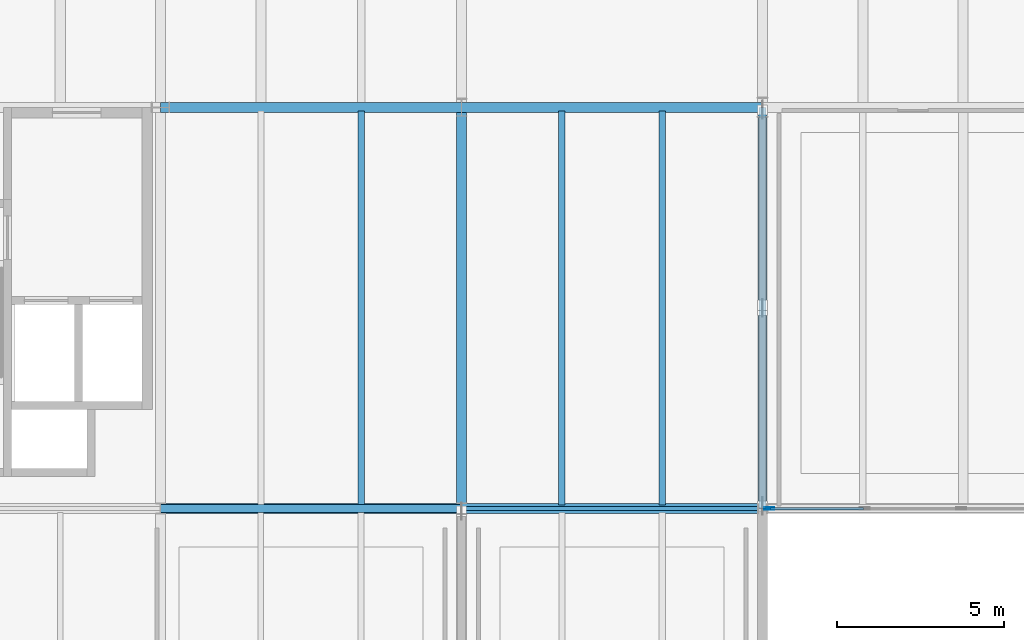
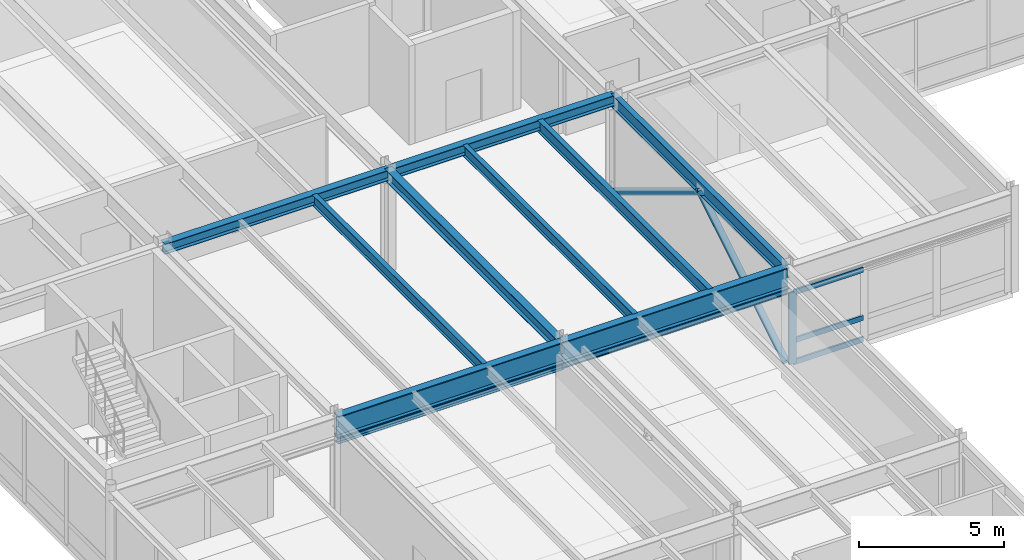
# One storey, part 73 of 127: 11 beams, 6 members, 1 element without a shape of its own.
"""IFC4 building model written with IfcOpenShell, lengths in metres."""

import ifcopenshell
import ifcopenshell.guid

model = None  # the IFC model being written
_history = None  # IfcOwnerHistory: only IFC2X3 demands one
_inside = {}  # id of a spatial element -> (the spatial element, [elements in it])
_under = {}  # id of a project, library or spatial element -> (it, [spatial elements below it])
_declared = {}  # id of a project -> (the project, [libraries it declares])
_typed = {}  # id of a type object -> (the type object, [elements of that type])
_made_of = {}  # id of a material, layer set ... -> (it, [elements and type objects made of it])


def new_model(schema):
    """Start an empty IFC model of exactly this schema.

    Asked for "IFC4X3", IfcOpenShell would pick the latest addendum, in which some entities
    have other attributes; the version numbers below select the first issue.
    IFC2X3 requires an IfcOwnerHistory on every rooted entity: one is made here for all.
    """
    global model, _history
    if schema == "IFC4X3":
        model = ifcopenshell.file(schema_version=(4, 3, 0, 0))
    else:
        model = ifcopenshell.file(schema=schema)
    _inside.clear()
    _under.clear()
    _declared.clear()
    _typed.clear()
    _made_of.clear()
    _history = None
    if model.schema == "IFC2X3":
        org = make("IfcOrganization", Name="unknown")
        user = make(
            "IfcPersonAndOrganization",
            ThePerson=make("IfcPerson", FamilyName="unknown"),
            TheOrganization=org,
        )
        app = make(
            "IfcApplication",
            ApplicationDeveloper=org,
            Version="unknown",
            ApplicationFullName="unknown",
            ApplicationIdentifier="unknown",
        )
        _history = make(
            "IfcOwnerHistory",
            OwningUser=user,
            OwningApplication=app,
            ChangeAction="ADDED",
            CreationDate=0,
        )
    return model


def make(cls, **values):
    """One entity of the class cls with the attributes given. An attribute that is None is left unset."""
    return model.create_entity(
        cls, **{name: value for name, value in values.items() if value is not None}
    )


def rooted(cls, **values):
    """An entity with a GlobalId (a new one), such as an element, a storey or a relation."""
    return make(cls, GlobalId=ifcopenshell.guid.new(), OwnerHistory=_history, **values)


def si_unit(unit_type, name, prefix=None):
    """IfcSIUnit, for example si_unit("LENGTHUNIT", "METRE", prefix="MILLI")."""
    return make("IfcSIUnit", UnitType=unit_type, Prefix=prefix, Name=name)


def assignment(units):
    """IfcUnitAssignment: the units of a project."""
    return None if units is None else make("IfcUnitAssignment", Units=units)


def point(xyz):
    """IfcCartesianPoint."""
    return None if xyz is None else make("IfcCartesianPoint", Coordinates=xyz)


def direction(xyz):
    """IfcDirection."""
    return None if xyz is None else make("IfcDirection", DirectionRatios=xyz)


def frame(location, z_axis=None, x_axis=None):
    """IfcAxis2Placement3D, a coordinate frame: its origin and axes. An axis left out is left unset."""
    return make(
        "IfcAxis2Placement3D",
        Location=point(location),
        Axis=direction(z_axis),
        RefDirection=direction(x_axis),
    )


def frame_2d(location, x_axis=None):
    """IfcAxis2Placement2D, a coordinate frame in the plane: its origin and x axis."""
    return make(
        "IfcAxis2Placement2D", Location=point(location), RefDirection=direction(x_axis)
    )


def origin():
    """The frame at (0, 0, 0) with its axes left unset."""
    return frame((0.0, 0.0, 0.0))


def origin_2d():
    """The frame at (0, 0) in the plane with its x axis left unset."""
    return frame_2d((0.0, 0.0))


def place(relative_to, where):
    """IfcLocalPlacement: puts the frame where relative to a parent placement (None: the world)."""
    return make(
        "IfcLocalPlacement", PlacementRelTo=relative_to, RelativePlacement=where
    )


def context(
    kind, dimensions, precision=None, world=None, true_north=None, identifier=None
):
    """IfcGeometricRepresentationContext, for example the 3D "Model" context."""
    return make(
        "IfcGeometricRepresentationContext",
        ContextIdentifier=identifier,
        ContextType=kind,
        CoordinateSpaceDimension=dimensions,
        Precision=precision,
        WorldCoordinateSystem=world,
        TrueNorth=true_north,
    )


def subcontext(parent, identifier, kind, view, scale=None):
    """IfcGeometricRepresentationSubContext, for example "Body" below "Model"."""
    return make(
        "IfcGeometricRepresentationSubContext",
        ContextIdentifier=identifier,
        ContextType=kind,
        ParentContext=parent,
        TargetScale=scale,
        TargetView=view,
    )


def project(units=None, contexts=None):
    """IfcProject with its units and contexts."""
    return rooted(
        "IfcProject",
        Name="project",
        RepresentationContexts=contexts,
        UnitsInContext=assignment(units),
    )


def spatial(cls, under=None, at=None, **own):
    """A site, building, storey or space (cls), placed at a placement, below another one or the project."""
    s = rooted(cls, ObjectPlacement=at, **own)
    if under is not None:
        _under.setdefault(under.id(), (under, []))[1].append(s)
    return s


def profile(cls, at=None, kind="AREA", **sizes):
    """A parametric profile (cls). Its sizes go by their IFC names, for example OverallWidth=200.0."""
    return make(cls, ProfileType=kind, Position=at, **sizes)


def hollow_rectangle(**sizes):
    """IfcRectangleHollowProfileDef."""
    return profile("IfcRectangleHollowProfileDef", **sizes)


def hollow_circle(**sizes):
    """IfcCircleHollowProfileDef."""
    return profile("IfcCircleHollowProfileDef", **sizes)


def i_section(**sizes):
    """IfcIShapeProfileDef."""
    return profile("IfcIShapeProfileDef", **sizes)


def extrude(swept, where, along, depth):
    """IfcExtrudedAreaSolid: the profile swept, set in the frame where, extruded along a direction by depth."""
    return make(
        "IfcExtrudedAreaSolid",
        SweptArea=swept,
        Position=where,
        ExtrudedDirection=direction(along),
        Depth=depth,
    )


def shape(context_of_items, identifier, shape_type, items):
    """IfcShapeRepresentation: the items that make up one representation, for example the "Body"."""
    return make(
        "IfcShapeRepresentation",
        ContextOfItems=context_of_items,
        RepresentationIdentifier=identifier,
        RepresentationType=shape_type,
        Items=items,
    )


def material(Name=None, Category=None):
    """IfcMaterial."""
    return make("IfcMaterial", Name=Name, Category=Category)


def layer(
    of_material, thickness, ventilated=None, Name=None, Category=None, Priority=None
):
    """IfcMaterialLayer: one layer of a wall or slab, of a material (None: an air gap)."""
    return make(
        "IfcMaterialLayer",
        Material=of_material,
        LayerThickness=thickness,
        IsVentilated=ventilated,
        Name=Name,
        Category=Category,
        Priority=Priority,
    )


def layer_set(layers, Name=None):
    """IfcMaterialLayerSet."""
    return make("IfcMaterialLayerSet", MaterialLayers=layers, LayerSetName=Name)


def material_profile(
    of_material, cross_section, Name=None, Category=None, Priority=None
):
    """IfcMaterialProfile: a cross section and its material."""
    return make(
        "IfcMaterialProfile",
        Name=Name,
        Material=of_material,
        Profile=cross_section,
        Priority=Priority,
        Category=Category,
    )


def profile_set(profiles, Name=None, composite=None):
    """IfcMaterialProfileSet."""
    return make(
        "IfcMaterialProfileSet",
        Name=Name,
        MaterialProfiles=profiles,
        CompositeProfile=composite,
    )


def made_of(thing, what):
    """Note that an element or type object is made of a material, layer set ...; save() writes the relation."""
    if what is not None:
        _made_of.setdefault(what.id(), (what, []))[1].append(thing)
    return thing


def type_object(cls, material=None, **own):
    """A type object (cls), such as IfcWallType, which elements share."""
    return made_of(rooted(cls, **own), material)


def element(
    cls,
    number,
    at=None,
    inside=None,
    cuts=None,
    type_object=None,
    material=None,
    context=None,
    identifier="Body",
    shape_type=None,
    held_by="IfcProductDefinitionShape",
    body=None,
    shapes=None,
    **own,
):
    """One element of the class cls, such as IfcWall. Its Tag is "e" and its number.

    at: its placement. inside: the storey or other place that contains it. cuts: it is an
    opening in that element (IfcRelVoidsElement). A single representation is given by context,
    identifier, shape_type and body (its items); several are given by shapes. held_by: the class
    of the entity that holds the representations. save() writes the other relations.
    """
    e = rooted(cls, Tag="e%d" % number, ObjectPlacement=at, **own)
    if body is not None:
        shapes = [shape(context, identifier, shape_type, body)]
    if shapes is not None:
        e.Representation = make(held_by, Representations=shapes)
    if inside is not None:
        _inside.setdefault(inside.id(), (inside, []))[1].append(e)
    if cuts is not None:
        rooted(
            "IfcRelVoidsElement", RelatingBuildingElement=cuts, RelatedOpeningElement=e
        )
    if type_object is not None:
        _typed.setdefault(type_object.id(), (type_object, []))[1].append(e)
    return made_of(e, material)


def aggregate(whole, parts):
    """IfcRelAggregates: a whole, such as a stair, and the parts it consists of."""
    return rooted("IfcRelAggregates", RelatingObject=whole, RelatedObjects=parts)


def save(model, path):
    """Write the relations noted so far, then the file.

    IfcRelAggregates (storeys below a building ...), IfcRelContainedInSpatialStructure (elements
    in a storey), IfcRelDefinesByType, IfcRelAssociatesMaterial and IfcRelDeclares: one each for
    every whole, place, type object, material and project.
    """
    for whole, parts in _under.values():
        aggregate(whole, parts)
    for where, things in _inside.values():
        rooted(
            "IfcRelContainedInSpatialStructure",
            RelatedElements=things,
            RelatingStructure=where,
        )
    for kind, things in _typed.values():
        rooted("IfcRelDefinesByType", RelatedObjects=things, RelatingType=kind)
    for what, things in _made_of.values():
        rooted("IfcRelAssociatesMaterial", RelatedObjects=things, RelatingMaterial=what)
    for by, libraries in _declared.values():
        rooted("IfcRelDeclares", RelatingContext=by, RelatedDefinitions=libraries)
    model.write(path)


model = new_model("IFC4")

# Units and contexts
model_context = context("Model", 3, precision=1e-05, world=origin(), true_north=direction((0.0, 1.0)))
body_context = subcontext(model_context, "Body", "Model", "MODEL_VIEW")
ifc_project = project(units=[si_unit("LENGTHUNIT", "METRE"), si_unit("AREAUNIT", "SQUARE_METRE"), si_unit("VOLUMEUNIT", "CUBIC_METRE"), si_unit("PLANEANGLEUNIT", "RADIAN"), si_unit("MASSUNIT", "GRAM", prefix="KILO")], contexts=[model_context])

# Site, building, storey
site_placement = place(None, origin())
site = spatial("IfcSite", under=ifc_project, at=site_placement, CompositionType="ELEMENT")
building_placement = place(site_placement, origin())
building = spatial("IfcBuilding", under=site, at=building_placement, Name="Montelvaro Courts of Justice", CompositionType="ELEMENT")
storey_placement = place(building_placement, frame((0.0, 0.0, 5.39990234375)))
storey = spatial("IfcBuildingStorey", under=building, at=storey_placement, Name="L01", CompositionType="ELEMENT", Elevation=5.39990234375)

# Beams
ifc_material_1 = material(Name="Steel S355", Category="steel")
ifc_material_profile_1 = material_profile(ifc_material_1, i_section(OverallWidth=0.239990234375, OverallDepth=0.22998046875, WebThickness=0.007568359375, FlangeThickness=0.011962890625, at=origin_2d()), Name="HEA 240")
ifc_profile_set_1 = profile_set([ifc_material_profile_1], Name="Steel S355")
beam_type_1 = type_object("IfcBeamType", Name="Beam_HEA240", PredefinedType="LINTEL", material=ifc_profile_set_1)
beam_1_placement = place(storey_placement, frame((108.0, 66.0, 3.135009765625), z_axis=(1.0, 0.0, 0.0), x_axis=(0.0, 1.0, 0.0)))
element("IfcBeam", 1, at=beam_1_placement, inside=storey, type_object=beam_type_1, Name="Beam B-13 L01", PredefinedType="LINTEL", context=body_context, shape_type="SweptSolid", body=[
    extrude(i_section(OverallWidth=0.239990234375, OverallDepth=0.22998046875, WebThickness=0.007568359375, FlangeThickness=0.011962890625, at=origin_2d()), origin(), (0.0, 0.0, 1.0), 9.0),
])
ifc_material_profile_2 = material_profile(ifc_material_1, i_section(OverallWidth=0.300048828125, OverallDepth=0.43994140625, WebThickness=0.011474609375, FlangeThickness=0.02099609375, at=origin_2d()), Name="HEA 450")
ifc_profile_set_2 = profile_set([ifc_material_profile_2], Name="Steel S355")
beam_type_2 = type_object("IfcBeamType", Name="Beam_HEA450", PredefinedType="USERDEFINED", material=ifc_profile_set_2)
for number, where, z_axis, x_axis, name in (
    (2, (108.0, 78.0, 3.97998046875), (1.0, 0.0, 0.0), (0.0, 1.0, 0.0), "Beam B-18 L01"),
    (3, (117.0, 78.0, 3.97998046875), (1.0, 0.0, 0.0), (0.0, 1.0, 0.0), "Beam B-18 L01"),
):
    element("IfcBeam", number, at=place(storey_placement, frame(where, z_axis=z_axis, x_axis=x_axis)), inside=storey, type_object=beam_type_2, Name=name, ObjectType="GIRDER", PredefinedType="USERDEFINED", context=body_context, shape_type="SweptSolid", body=[
        extrude(i_section(OverallWidth=0.300048828125, OverallDepth=0.43994140625, WebThickness=0.011474609375, FlangeThickness=0.02099609375, at=origin_2d()), origin(), (0.0, 0.0, 1.0), 9.0),
    ])
ifc_material_profile_3 = material_profile(ifc_material_1, i_section(OverallWidth=0.300048828125, OverallDepth=0.489990234375, WebThickness=0.011962890625, FlangeThickness=0.02294921875, at=origin_2d()), Name="HEA 500")
ifc_profile_set_3 = profile_set([ifc_material_profile_3], Name="Steel S355")
beam_type_3 = type_object("IfcBeamType", Name="Beam_HEA500", PredefinedType="USERDEFINED", material=ifc_profile_set_3)
beam_2_placement = place(storey_placement, frame((117.0, 66.0, 3.955078125), z_axis=(0.0, 1.0, 0.0), x_axis=(-1.0, 0.0, 0.0)))
element("IfcBeam", 4, at=beam_2_placement, inside=storey, type_object=beam_type_3, Name="Beam B-19 L01", ObjectType="GIRDER", PredefinedType="USERDEFINED", context=body_context, shape_type="SweptSolid", body=[
    extrude(i_section(OverallWidth=0.300048828125, OverallDepth=0.489990234375, WebThickness=0.011962890625, FlangeThickness=0.02294921875, at=origin_2d()), origin(), (0.0, 0.0, 1.0), 12.0),
])
ifc_material_profile_4 = material_profile(ifc_material_1, i_section(OverallWidth=0.302001953125, OverallDepth=0.909912109375, WebThickness=0.02099609375, FlangeThickness=0.0400390625, at=origin_2d()), Name="HEM 900")
ifc_profile_set_4 = profile_set([ifc_material_profile_4], Name="Steel S355")
beam_type_4 = type_object("IfcBeamType", Name="Beam_HEM900", PredefinedType="USERDEFINED", material=ifc_profile_set_4)
for number, where, z_axis, x_axis, name in (
    (5, (108.0, 66.0, 3.7451171875), (1.0, 0.0, 0.0), (0.0, 1.0, 0.0), "Beam B-31 L01"),
    (6, (117.0, 66.0, 3.7451171875), (1.0, 0.0, 0.0), (0.0, 1.0, 0.0), "Beam B-31 L01"),
):
    element("IfcBeam", number, at=place(storey_placement, frame(where, z_axis=z_axis, x_axis=x_axis)), inside=storey, type_object=beam_type_4, Name=name, ObjectType="GIRDER", PredefinedType="USERDEFINED", context=body_context, shape_type="SweptSolid", body=[
        extrude(i_section(OverallWidth=0.302001953125, OverallDepth=0.909912109375, WebThickness=0.02099609375, FlangeThickness=0.0400390625, at=origin_2d()), origin(), (0.0, 0.0, 1.0), 9.0),
    ])
ifc_material_profile_5 = material_profile(ifc_material_1, i_section(OverallWidth=0.1201171875, OverallDepth=0.239990234375, WebThickness=0.006103515625, FlangeThickness=0.009765625, at=origin_2d()), Name="IPE 240")
ifc_profile_set_5 = profile_set([ifc_material_profile_5], Name="Steel S355")
beam_type_5 = type_object("IfcBeamType", Name="Beam_IPE240", PredefinedType="LINTEL", material=ifc_profile_set_5)
beam_3_placement = place(storey_placement, frame((117.0, 66.0, 3.130126953125), z_axis=(1.0, 0.0, 0.0), x_axis=(0.0, 1.0, 0.0)))
element("IfcBeam", 7, at=beam_3_placement, inside=storey, type_object=beam_type_5, Name="Beam B-03 L01", PredefinedType="LINTEL", context=body_context, shape_type="SweptSolid", body=[
    extrude(i_section(OverallWidth=0.1201171875, OverallDepth=0.239990234375, WebThickness=0.006103515625, FlangeThickness=0.009765625, at=origin_2d()), origin(), (0.0, 0.0, 1.0), 9.0),
])
ifc_material_profile_6 = material_profile(ifc_material_1, i_section(OverallWidth=0.18994140625, OverallDepth=0.449951171875, WebThickness=0.009521484375, FlangeThickness=0.0146484375, at=origin_2d()), Name="IPE 450")
ifc_profile_set_6 = profile_set([ifc_material_profile_6], Name="Steel S355")
beam_type_6 = type_object("IfcBeamType", Name="Beam_IPE450", PredefinedType="BEAM", material=ifc_profile_set_6)
for number, where, z_axis, x_axis, name in (
    (8, (114.0, 66.110107421875, 3.97509765625), (0.0, 1.0, 0.0), (-1.0, 0.0, 0.0), "Beam B-09 L01"),
    (9, (120.0, 66.110107421875, 3.97509765625), (0.0, 1.0, 0.0), (-1.0, 0.0, 0.0), "Beam B-09 L01"),
):
    element("IfcBeam", number, at=place(storey_placement, frame(where, z_axis=z_axis, x_axis=x_axis)), inside=storey, type_object=beam_type_6, Name=name, PredefinedType="BEAM", context=body_context, shape_type="SweptSolid", body=[
        extrude(i_section(OverallWidth=0.18994140625, OverallDepth=0.449951171875, WebThickness=0.009521484375, FlangeThickness=0.0146484375, at=origin_2d()), origin(), (0.0, 0.0, 1.0), 11.77978515625),
    ])
ifc_material_profile_7 = material_profile(ifc_material_1, i_section(OverallWidth=0.199951171875, OverallDepth=0.5, WebThickness=0.01025390625, FlangeThickness=0.01611328125, at=origin_2d()), Name="IPE 500")
ifc_profile_set_7 = profile_set([ifc_material_profile_7], Name="Steel S355")
beam_type_7 = type_object("IfcBeamType", Name="Beam_IPE500", PredefinedType="BEAM", material=ifc_profile_set_7)
beam_4_placement = place(storey_placement, frame((123.0, 66.110107421875, 3.9501953125), z_axis=(0.0, 1.0, 0.0), x_axis=(-1.0, 0.0, 0.0)))
element("IfcBeam", 10, at=beam_4_placement, inside=storey, type_object=beam_type_7, Name="Beam B-10 L01", PredefinedType="BEAM", context=body_context, shape_type="SweptSolid", body=[
    extrude(i_section(OverallWidth=0.199951171875, OverallDepth=0.5, WebThickness=0.01025390625, FlangeThickness=0.01611328125, at=origin_2d()), origin(), (0.0, 0.0, 1.0), 11.77978515625),
])
ifc_material_profile_8 = material_profile(ifc_material_1, i_section(OverallWidth=0.2099609375, OverallDepth=0.550048828125, WebThickness=0.010986328125, FlangeThickness=0.01708984375, at=origin_2d()), Name="IPE 550")
ifc_profile_set_8 = profile_set([ifc_material_profile_8], Name="Steel S355")
beam_type_8 = type_object("IfcBeamType", Name="Beam_IPE550", PredefinedType="BEAM", material=ifc_profile_set_8)
beam_5_placement = place(storey_placement, frame((126.0, 66.0, 3.925048828125), z_axis=(0.0, 1.0, 0.0), x_axis=(-1.0, 0.0, 0.0)))
element("IfcBeam", 11, at=beam_5_placement, inside=storey, type_object=beam_type_8, Name="Beam B-11 L01", PredefinedType="BEAM", context=body_context, shape_type="SweptSolid", body=[
    extrude(i_section(OverallWidth=0.2099609375, OverallDepth=0.550048828125, WebThickness=0.010986328125, FlangeThickness=0.01708984375, at=origin_2d()), origin(), (0.0, 0.0, 1.0), 12.0),
])

# Curtain wall, members
ifc_material_2 = material(Name="Anodised aluminium EN AW-6063", Category="aluminium")
ifc_layer = layer(ifc_material_2, 0.159912109375)
ifc_layer_set = layer_set([ifc_layer], Name="Anodised aluminium EN AW-6063")
curtain_wall_type = type_object("IfcCurtainWallType", Name="CurtainWall_14_867x418", PredefinedType="USERDEFINED", material=ifc_layer_set)
curtain_wall_placement = place(storey_placement, origin())
curtain_wall = element("IfcCurtainWall", 12, at=curtain_wall_placement, inside=storey, type_object=curtain_wall_type, Name="Curtain Wall CW-14 (L01)", ObjectType="CURTAIN WALL", PredefinedType="USERDEFINED")
ifc_material_profile_9 = material_profile(ifc_material_2, hollow_rectangle(XDim=0.074951171875, YDim=0.300048828125, WallThickness=0.006103515625, at=origin_2d()), Name="ALU-M 75x300")
ifc_profile_set_9 = profile_set([ifc_material_profile_9], Name="Anodised aluminium EN AW-6063")
member_type_1 = type_object("IfcMemberType", Name="CurtainWall_Mullion_75x300", PredefinedType="MULLION", material=ifc_profile_set_9)
member_1_placement = place(storey_placement, frame((126.202392578125, 66.0, 0.0), z_axis=(0.0, 0.0, 1.0), x_axis=(0.0, 1.0, 0.0)))
member_1 = element("IfcMember", 13, at=member_1_placement, type_object=member_type_1, Name="CW-14 mullion 1", PredefinedType="MULLION", context=body_context, shape_type="SweptSolid", body=[
    extrude(hollow_rectangle(XDim=0.074951171875, YDim=0.300048828125, WallThickness=0.006103515625, at=origin_2d()), origin(), (0.0, 0.0, 1.0), 3.01513671875),
])
ifc_material_profile_10 = material_profile(ifc_material_2, hollow_rectangle(XDim=0.074951171875, YDim=0.219970703125, WallThickness=0.005615234375, at=origin_2d()), Name="ALU-T 75x220")
ifc_profile_set_10 = profile_set([ifc_material_profile_10], Name="Anodised aluminium EN AW-6063")
member_type_2 = type_object("IfcMemberType", Name="CurtainWall_Transom_75x220", PredefinedType="USERDEFINED", material=ifc_profile_set_10)
member_2_placement = place(storey_placement, frame((126.239990234375, 66.0, 0.03759765625), z_axis=(1.0, 0.0, 0.0), x_axis=(0.0, 1.0, 0.0)))
member_2 = element("IfcMember", 14, at=member_2_placement, type_object=member_type_2, Name="CW-14 transom 1.1", ObjectType="TRANSOM", PredefinedType="USERDEFINED", context=body_context, shape_type="SweptSolid", body=[
    extrude(hollow_rectangle(XDim=0.074951171875, YDim=0.219970703125, WallThickness=0.005615234375, at=origin_2d()), origin(), (0.0, 0.0, 1.0), 2.777587890625),
])
member_3_placement = place(storey_placement, frame((126.239990234375, 66.0, 0.9501953125), z_axis=(1.0, 0.0, 0.0), x_axis=(0.0, 1.0, 0.0)))
member_3 = element("IfcMember", 15, at=member_3_placement, type_object=member_type_2, Name="CW-14 transom 1.2", ObjectType="TRANSOM", PredefinedType="USERDEFINED", context=body_context, shape_type="SweptSolid", body=[
    extrude(hollow_rectangle(XDim=0.074951171875, YDim=0.219970703125, WallThickness=0.005615234375, at=origin_2d()), origin(), (0.0, 0.0, 1.0), 2.777587890625),
])
member_4_placement = place(storey_placement, frame((126.239990234375, 66.0, 2.9775390625), z_axis=(1.0, 0.0, 0.0), x_axis=(0.0, 1.0, 0.0)))
member_4 = element("IfcMember", 16, at=member_4_placement, type_object=member_type_2, Name="CW-14 transom 1.3", ObjectType="TRANSOM", PredefinedType="USERDEFINED", context=body_context, shape_type="SweptSolid", body=[
    extrude(hollow_rectangle(XDim=0.074951171875, YDim=0.219970703125, WallThickness=0.005615234375, at=origin_2d()), origin(), (0.0, 0.0, 1.0), 2.777587890625),
])
aggregate(curtain_wall, [member_1, member_2, member_3, member_4])

# Members
ifc_material_profile_11 = material_profile(ifc_material_1, hollow_circle(Radius=0.136474609375, WallThickness=0.012451171875, at=origin_2d()), Name="CHS 273x12.5")
ifc_profile_set_11 = profile_set([ifc_material_profile_11], Name="Steel S355")
member_type_3 = type_object("IfcMemberType", Name="Mem_CHS273_Brace", PredefinedType="BRACE", material=ifc_profile_set_11)
for number, where, z_axis, x_axis, name in (
    (17, (126.0, 66.080078125, 0.080078125), (0.0, 0.855053336736, 0.518540057601), (-1.0, 0.0, 0.0), "Lateral Braced Frame CBF3 Diagonal 1 (L01)"),
    (18, (126.0, 77.919921875, 0.080078125), (0.0, -0.855053336736, 0.518540057601), (1.0, 0.0, 0.0), "Lateral Braced Frame CBF3 Diagonal 2 (L01)"),
):
    element("IfcMember", number, at=place(storey_placement, frame(where, z_axis=z_axis, x_axis=x_axis)), inside=storey, type_object=member_type_3, Name=name, PredefinedType="BRACE", context=body_context, shape_type="SweptSolid", body=[
        extrude(hollow_circle(Radius=0.136474609375, WallThickness=0.012451171875, at=origin_2d()), origin(), (0.0, 0.0, 1.0), 6.92333984375),
    ])

save(model, "model.ifc")
